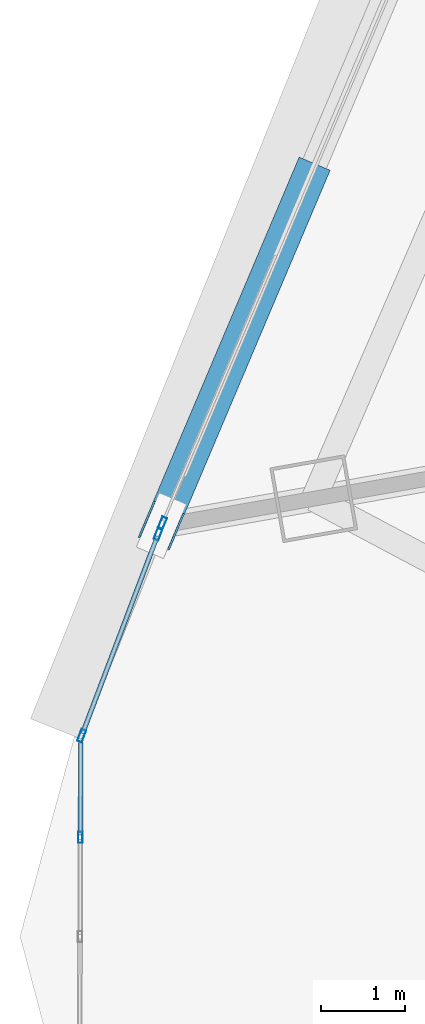
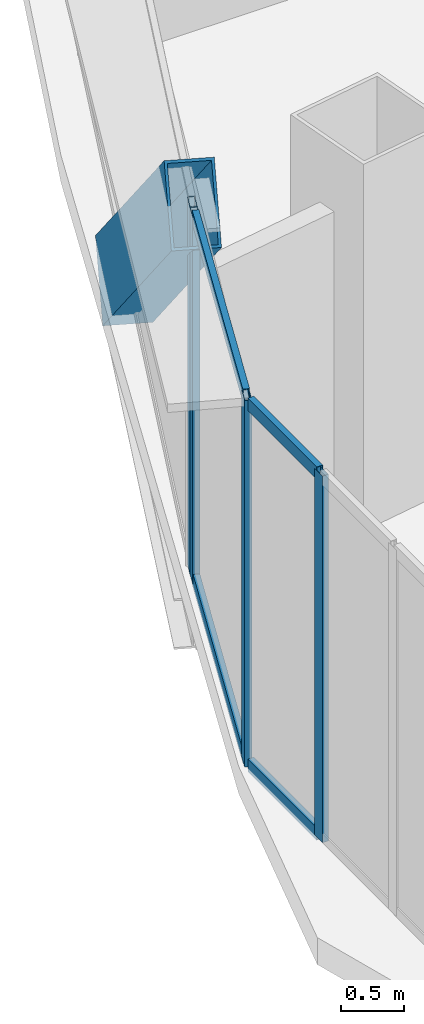
# One storey, part 4 of 38: 9 members, 3 elements without a shape of their own.
"""IFC4 building model written with IfcOpenShell, lengths in metres."""

from ifc_helpers import new_model, si_unit, direction, frame, origin, origin_2d, place, context, subcontext, project, spatial, hollow_rectangle, extrude, source, transform, mapped, material, layer, layer_set, material_profile, profile_set, type_object, element, aggregate, save


model = new_model("IFC4")

# Units and contexts
model_context = context("Model", 3, precision=1e-05, world=origin(), true_north=direction((0.0, 1.0)))
body_context = subcontext(model_context, "Body", "Model", "MODEL_VIEW")
ifc_project = project(units=[si_unit("LENGTHUNIT", "METRE"), si_unit("AREAUNIT", "SQUARE_METRE"), si_unit("VOLUMEUNIT", "CUBIC_METRE"), si_unit("PLANEANGLEUNIT", "RADIAN"), si_unit("MASSUNIT", "GRAM", prefix="KILO"), si_unit("THERMODYNAMICTEMPERATUREUNIT", "KELVIN"), si_unit("POWERUNIT", "WATT")], contexts=[model_context])

# Site, building, storey
site_placement = place(None, origin())
site = spatial("IfcSite", under=ifc_project, at=site_placement, CompositionType="ELEMENT")
building_placement = place(site_placement, origin())
building = spatial("IfcBuilding", under=site, at=building_placement, Name="Yunzhuo Pagoda Commons", CompositionType="ELEMENT")
storey_placement = place(building_placement, frame((0.0, 0.0, 203.760009765625)))
storey = spatial("IfcBuildingStorey", under=building, at=storey_placement, Name="L51", CompositionType="ELEMENT", Elevation=203.760009765625)

# Member
ifc_material_1 = material(Name="Structural steel Q355B", Category="steel")
ifc_material_profile_1 = material_profile(ifc_material_1, hollow_rectangle(XDim=0.39990234375, YDim=0.719970703125, WallThickness=0.02392578125, at=origin_2d()), Name="Structural steel Q355B")
ifc_profile_set_1 = profile_set([ifc_material_profile_1], Name="Structural steel Q355B")
member_type_1 = type_object("IfcMemberType", Name="M-DL2 Brace BOX 720x400x24", PredefinedType="BRACE", material=ifc_profile_set_1)
shared_shape_1 = source(origin(), body_context, "Body", "SweptSolid", [
    extrude(hollow_rectangle(XDim=0.39990234375, YDim=0.719970703125, WallThickness=0.02392578125, at=origin_2d()), origin(), (0.0, 0.0, 1.0), 5.8349609375),
])
member_1_placement = place(storey_placement, frame((12.71240234375, 31.25048828125, -0.260009765625), z_axis=(-0.295947496417, -0.698759110725, 0.651268596313), x_axis=(0.920816502007, -0.389996114892, 0.0)))
element("IfcMember", 1, at=member_1_placement, inside=storey, type_object=member_type_1, Name="L51 facade diamond brace F3.3R", PredefinedType="BRACE", context=body_context, shape_type="MappedRepresentation", body=[
    mapped(shared_shape_1, transform((0.0, 0.0, 0.0), scale=1.0)),
])

# Curtain wall, member
ifc_material_2 = material(Name="Anodized aluminium 6063-T6", Category="aluminium")
ifc_layer_1 = layer(ifc_material_2, 0.1298828125)
ifc_layer_set_1 = layer_set([ifc_layer_1], Name="Anodized aluminium 6063-T6")
curtain_wall_type_1 = type_object("IfcCurtainWallType", Name="CW-VTX Rounded Corner Curtain Wall", PredefinedType="NOTDEFINED", material=ifc_layer_set_1)
curtain_wall_1_placement = place(storey_placement, origin())
curtain_wall_1 = element("IfcCurtainWall", 2, at=curtain_wall_1_placement, inside=storey, type_object=curtain_wall_type_1, Name="L51 curtain wall CW-L51-VTX1S1", PredefinedType="NOTDEFINED")
ifc_material_profile_2 = material_profile(ifc_material_2, hollow_rectangle(XDim=0.054931640625, YDim=0.1298828125, WallThickness=0.00341796875, at=origin_2d()), Name="Anodized aluminium 6063-T6")
ifc_profile_set_2 = profile_set([ifc_material_profile_2], Name="Anodized aluminium 6063-T6")
member_type_2 = type_object("IfcMemberType", Name="CW-VTX-M Mullion RHS 130x55x3.5", PredefinedType="MULLION", material=ifc_profile_set_2)
shared_shape_2 = source(origin(), body_context, "Body", "SweptSolid", [
    extrude(hollow_rectangle(XDim=0.054931640625, YDim=0.1298828125, WallThickness=0.00341796875, at=origin_2d()), origin(), (0.0, 0.0, 1.0), 3.5400390625),
])
member_2_placement = place(storey_placement, frame((10.025634765625, 23.475341796875, 0.0), z_axis=(0.0, 0.0, 1.0), x_axis=(0.999993564434, -0.00358763029, 0.0)))
member_2 = element("IfcMember", 3, at=member_2_placement, type_object=member_type_2, Name="CW mullion 2", PredefinedType="MULLION", context=body_context, shape_type="MappedRepresentation", body=[
    mapped(shared_shape_2, transform((0.0, 0.0, 0.0), scale=1.0)),
])

ifc_layer_2 = layer(ifc_material_2, 0.14990234375)
ifc_layer_set_2 = layer_set([ifc_layer_2], Name="Anodized aluminium 6063-T6")
curtain_wall_type_2 = type_object("IfcCurtainWallType", Name="CW-MID Mid-Zone Ribbon Curtain Wall", PredefinedType="NOTDEFINED", material=ifc_layer_set_2)
curtain_wall_2_placement = place(storey_placement, origin())
curtain_wall_2 = element("IfcCurtainWall", 4, at=curtain_wall_2_placement, inside=storey, type_object=curtain_wall_type_2, Name="L51 curtain wall CW-L51-F3B4", PredefinedType="NOTDEFINED")
ifc_material_profile_3 = material_profile(ifc_material_2, hollow_rectangle(XDim=0.06005859375, YDim=0.14990234375, WallThickness=0.00390625, at=origin_2d()), Name="Anodized aluminium 6063-T6")
ifc_profile_set_3 = profile_set([ifc_material_profile_3], Name="Anodized aluminium 6063-T6")
member_type_3 = type_object("IfcMemberType", Name="CW-MID-M Mullion RHS 150x60x4", PredefinedType="MULLION", material=ifc_profile_set_3)
shared_shape_3 = source(origin(), body_context, "Body", "SweptSolid", [
    extrude(hollow_rectangle(XDim=0.06005859375, YDim=0.14990234375, WallThickness=0.00390625, at=origin_2d()), origin(), (0.0, 0.0, 1.0), 3.5400390625),
])
member_3_placement = place(storey_placement, frame((10.99755859375, 27.200927734375, 0.0), z_axis=(0.0, 0.0, 1.0), x_axis=(0.920824274127, -0.389977763697, 0.0)))
member_3 = element("IfcMember", 5, at=member_3_placement, type_object=member_type_3, Name="CW mullion 2", PredefinedType="MULLION", context=body_context, shape_type="MappedRepresentation", body=[
    mapped(shared_shape_3, transform((0.0, 0.0, 0.0), scale=1.0)),
])
aggregate(curtain_wall_2, [member_3])

# Curtain wall, members
curtain_wall_3_placement = place(storey_placement, origin())
curtain_wall_3 = element("IfcCurtainWall", 6, at=curtain_wall_3_placement, inside=storey, type_object=curtain_wall_type_2, Name="L51 curtain wall CW-L51-F3B5", PredefinedType="NOTDEFINED")
member_4_placement = place(storey_placement, frame((10.9482421875, 27.0751953125, 0.0), z_axis=(0.0, 0.0, 1.0), x_axis=(0.935033739191, -0.354558749116, 0.0)))
member_4 = element("IfcMember", 7, at=member_4_placement, type_object=member_type_3, Name="CW mullion 1", PredefinedType="MULLION", context=body_context, shape_type="MappedRepresentation", body=[
    mapped(shared_shape_3, transform((0.0, 0.0, 0.0), scale=1.0)),
])
member_5_placement = place(storey_placement, frame((10.04052734375, 24.68115234375, 0.0), z_axis=(0.0, 0.0, 1.0), x_axis=(0.935033739191, -0.354558749116, 0.0)))
member_5 = element("IfcMember", 8, at=member_5_placement, type_object=member_type_3, Name="CW mullion 2", PredefinedType="MULLION", context=body_context, shape_type="MappedRepresentation", body=[
    mapped(shared_shape_3, transform((0.0, 0.0, 0.0), scale=1.0)),
])
ifc_material_profile_4 = material_profile(ifc_material_2, hollow_rectangle(XDim=0.054931640625, YDim=0.1298828125, WallThickness=0.00341796875, at=origin_2d()), Name="Anodized aluminium 6063-T6")
ifc_profile_set_4 = profile_set([ifc_material_profile_4], Name="Anodized aluminium 6063-T6")
member_type_4 = type_object("IfcMemberType", Name="CW-MID-T Transom RHS 130x55x3.5", PredefinedType="USERDEFINED", material=ifc_profile_set_4)
shared_shape_4 = source(origin(), body_context, "Body", "SweptSolid", [
    extrude(hollow_rectangle(XDim=0.054931640625, YDim=0.1298828125, WallThickness=0.00341796875, at=origin_2d()), origin(), (0.0, 0.0, 1.0), 2.500732421875),
])
member_6_placement = place(storey_placement, frame((10.937744140625, 27.047119140625, 0.027587890625), z_axis=(-0.354598313462, -0.935018735689, 0.0), x_axis=(0.935018735689, -0.354598313462, 0.0)))
member_6 = element("IfcMember", 9, at=member_6_placement, type_object=member_type_4, Name="CW transom 1.1", ObjectType="TRANSOM", PredefinedType="USERDEFINED", context=body_context, shape_type="MappedRepresentation", body=[
    mapped(shared_shape_4, transform((0.0, 0.0, 0.0), scale=1.0)),
])
member_7_placement = place(storey_placement, frame((10.937744140625, 27.047119140625, 3.512451171875), z_axis=(-0.354598313462, -0.935018735689, 0.0), x_axis=(0.935018735689, -0.354598313462, 0.0)))
member_7 = element("IfcMember", 10, at=member_7_placement, type_object=member_type_4, Name="CW transom 1.2", ObjectType="TRANSOM", PredefinedType="USERDEFINED", context=body_context, shape_type="MappedRepresentation", body=[
    mapped(shared_shape_4, transform((0.0, 0.0, 0.0), scale=1.0)),
])
aggregate(curtain_wall_3, [member_4, member_5, member_6, member_7])

# Member
ifc_material_profile_5 = material_profile(ifc_material_2, hollow_rectangle(XDim=0.054931640625, YDim=0.1201171875, WallThickness=0.00341796875, at=origin_2d()), Name="Anodized aluminium 6063-T6")
ifc_profile_set_5 = profile_set([ifc_material_profile_5], Name="Anodized aluminium 6063-T6")
member_type_5 = type_object("IfcMemberType", Name="CW-VTX-T Transom RHS 120x55x3.5", PredefinedType="USERDEFINED", material=ifc_profile_set_5)
shared_shape_5 = source(origin(), body_context, "Body", "SweptSolid", [
    extrude(hollow_rectangle(XDim=0.054931640625, YDim=0.1201171875, WallThickness=0.00341796875, at=origin_2d()), origin(), (0.0, 0.0, 1.0), 1.094970703125),
])
member_8_placement = place(storey_placement, frame((10.029541015625, 24.597900390625, 0.027587890625), z_axis=(-0.003567424345, -0.999993636722, 0.0), x_axis=(0.999993636722, -0.003567424345, 0.0)))
member_8 = element("IfcMember", 11, at=member_8_placement, type_object=member_type_5, Name="CW transom 1.1", ObjectType="TRANSOM", PredefinedType="USERDEFINED", context=body_context, shape_type="MappedRepresentation", body=[
    mapped(shared_shape_5, transform((0.0, 0.0, 0.0), scale=1.0)),
])

member_9_placement = place(storey_placement, frame((10.029541015625, 24.597900390625, 3.512451171875), z_axis=(-0.003567424345, -0.999993636722, 0.0), x_axis=(0.999993636722, -0.003567424345, 0.0)))
member_9 = element("IfcMember", 12, at=member_9_placement, type_object=member_type_5, Name="CW transom 1.2", ObjectType="TRANSOM", PredefinedType="USERDEFINED", context=body_context, shape_type="MappedRepresentation", body=[
    mapped(shared_shape_5, transform((0.0, 0.0, 0.0), scale=1.0)),
])

aggregate(curtain_wall_1, [member_2, member_8, member_9])

save(model, "model.ifc")
